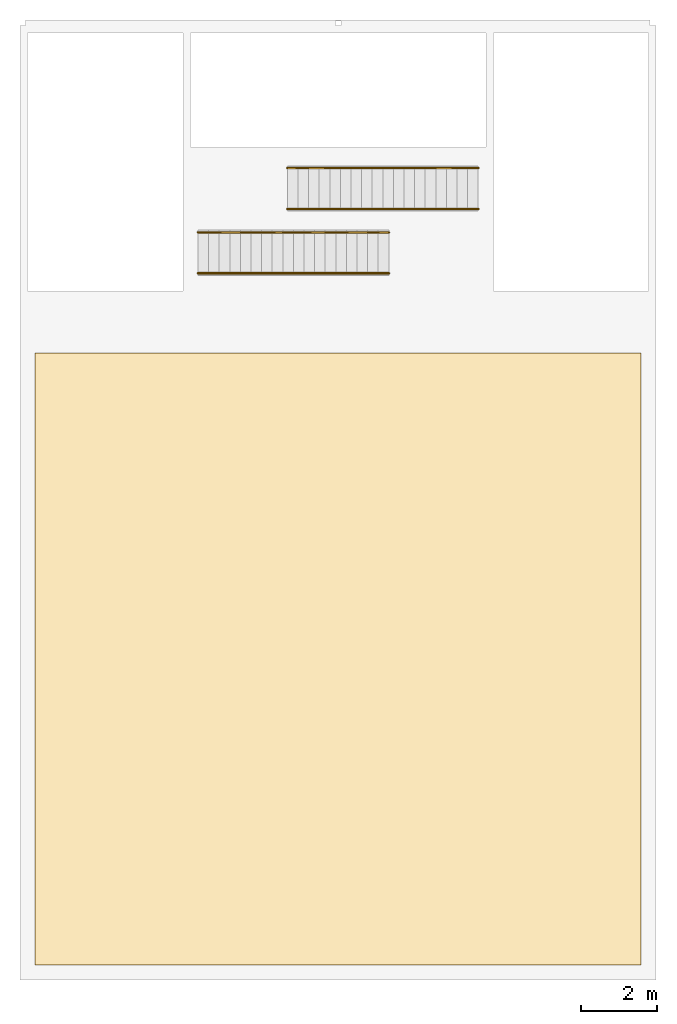
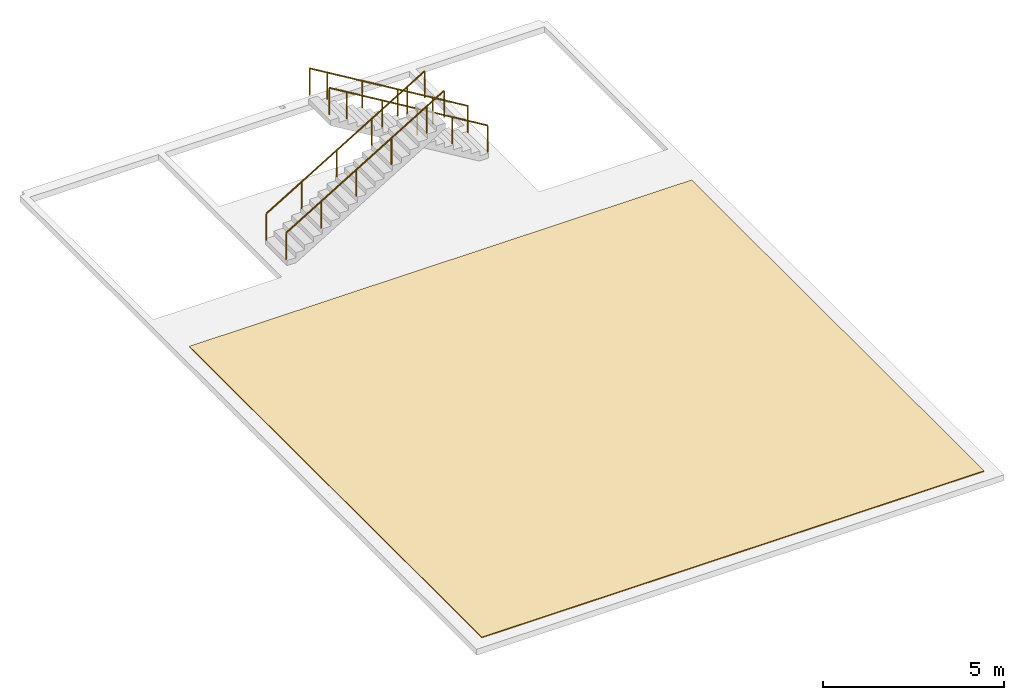
# One storey, part 2 of 2: 4 railings, 1 covering.
"""IFC4 building model written with IfcOpenShell, lengths in metres."""

from ifc_helpers import new_model, si_unit, direction, frame, origin, origin_2d, place, context, subcontext, project, spatial, polyline, circle, outline, extrude, material, layer, layer_set, type_object, element, save


model = new_model("IFC4")

# Units and contexts
model_context = context("Model", 3, precision=1e-05, world=origin(), true_north=direction((0.0, 1.0)))
body_context = subcontext(model_context, "Body", "Model", "MODEL_VIEW")
ifc_project = project(units=[si_unit("LENGTHUNIT", "METRE"), si_unit("AREAUNIT", "SQUARE_METRE"), si_unit("VOLUMEUNIT", "CUBIC_METRE"), si_unit("PLANEANGLEUNIT", "RADIAN"), si_unit("MASSUNIT", "GRAM", prefix="KILO")], contexts=[model_context])

# Site, building, storey
site_placement = place(None, origin())
site = spatial("IfcSite", under=ifc_project, at=site_placement, CompositionType="ELEMENT")
building_placement = place(site_placement, origin())
building = spatial("IfcBuilding", under=site, at=building_placement, Name="Galleria Vessillo Department Store", CompositionType="ELEMENT")
storey_placement = place(building_placement, frame((0.0, 0.0, 72.0)))
storey = spatial("IfcBuildingStorey", under=building, at=storey_placement, Name="ROOF", CompositionType="ELEMENT", Elevation=72.0)

# Railings
ifc_material_1 = material(Name="Stainless steel tube", Category="steel")
railing_type = type_object("IfcRailingType", Name="Stair handrail steel tube 48 mm", PredefinedType="HANDRAIL", material=ifc_material_1)
railing_1_placement = place(storey_placement, frame((105.49951171875, 57.5400390625, 0.16845703125)))
element("IfcRailing", 1, at=railing_1_placement, inside=storey, type_object=railing_type, Name="Handrail RS1 ROOF flight 1A", PredefinedType="HANDRAIL", context=body_context, shape_type="SweptSolid", body=[
    extrude(circle(Radius=0.02392578125, at=origin_2d()), frame((0.0, 0.0, 0.89599609375), z_axis=(0.856981583838, 0.0, 0.515347033524), x_axis=(0.0, 1.0, 0.0)), (0.0, 0.0, 1.0), 1.30712890625),
    extrude(circle(Radius=0.02392578125, at=origin_2d()), frame((1.1201171875, 0.0, 1.5693359375), z_axis=(0.856849446292, 0.0, 0.515566704113), x_axis=(0.0, 1.0, 0.0)), (0.0, 0.0, 1.0), 1.306884765625),
    extrude(circle(Radius=0.02392578125, at=origin_2d()), frame((2.239990234375, 0.0, 2.2431640625), z_axis=(0.856981583838, 0.0, 0.515347033524), x_axis=(0.0, 1.0, 0.0)), (0.0, 0.0, 1.0), 1.30712890625),
    extrude(circle(Radius=0.02392578125, at=origin_2d()), frame((3.360107421875, 0.0, 2.9169921875), z_axis=(0.85693196439, 0.0, 0.51542953777), x_axis=(0.0, 1.0, 0.0)), (0.0, 0.0, 1.0), 1.306884765625),
    extrude(circle(Radius=0.02392578125, at=origin_2d()), frame((4.47998046875, 0.0, 3.59033203125), z_axis=(0.856899087374, 0.0, 0.5154841938), x_axis=(0.0, 1.0, 0.0)), (0.0, 0.0, 1.0), 0.653564453125),
    extrude(circle(Radius=0.02099609375, at=origin_2d()), origin(), (0.0, 0.0, 1.0), 0.871826171875),
    extrude(circle(Radius=0.02099609375, at=origin_2d()), frame((1.1201171875, 0.0, 0.673583984375)), (0.0, 0.0, 1.0), 0.871826171875),
    extrude(circle(Radius=0.02099609375, at=origin_2d()), frame((2.239990234375, 0.0, 1.347412109375)), (0.0, 0.0, 1.0), 0.871826171875),
    extrude(circle(Radius=0.02099609375, at=origin_2d()), frame((3.360107421875, 0.0, 2.02099609375)), (0.0, 0.0, 1.0), 0.871826171875),
    extrude(circle(Radius=0.02099609375, at=origin_2d()), frame((4.47998046875, 0.0, 2.694580078125)), (0.0, 0.0, 1.0), 0.871826171875),
    extrude(circle(Radius=0.02099609375, at=origin_2d()), frame((5.0400390625, 0.0, 3.031494140625)), (0.0, 0.0, 1.0), 0.871826171875),
])
railing_2_placement = place(storey_placement, frame((105.49951171875, 56.4599609375, 0.16845703125)))
element("IfcRailing", 2, at=railing_2_placement, inside=storey, type_object=railing_type, Name="Handrail RS1 ROOF flight 1B", PredefinedType="HANDRAIL", context=body_context, shape_type="SweptSolid", body=[
    extrude(circle(Radius=0.02392578125, at=origin_2d()), frame((0.0, 0.0, 0.89599609375), z_axis=(0.856981583838, 0.0, 0.515347033524), x_axis=(0.0, 1.0, 0.0)), (0.0, 0.0, 1.0), 1.30712890625),
    extrude(circle(Radius=0.02392578125, at=origin_2d()), frame((1.1201171875, 0.0, 1.5693359375), z_axis=(0.856849446292, 0.0, 0.515566704113), x_axis=(0.0, 1.0, 0.0)), (0.0, 0.0, 1.0), 1.306884765625),
    extrude(circle(Radius=0.02392578125, at=origin_2d()), frame((2.239990234375, 0.0, 2.2431640625), z_axis=(0.856981583838, 0.0, 0.515347033524), x_axis=(0.0, 1.0, 0.0)), (0.0, 0.0, 1.0), 1.30712890625),
    extrude(circle(Radius=0.02392578125, at=origin_2d()), frame((3.360107421875, 0.0, 2.9169921875), z_axis=(0.85693196439, 0.0, 0.51542953777), x_axis=(0.0, 1.0, 0.0)), (0.0, 0.0, 1.0), 1.306884765625),
    extrude(circle(Radius=0.02392578125, at=origin_2d()), frame((4.47998046875, 0.0, 3.59033203125), z_axis=(0.856899087374, 0.0, 0.5154841938), x_axis=(0.0, 1.0, 0.0)), (0.0, 0.0, 1.0), 0.653564453125),
    extrude(circle(Radius=0.02099609375, at=origin_2d()), origin(), (0.0, 0.0, 1.0), 0.871826171875),
    extrude(circle(Radius=0.02099609375, at=origin_2d()), frame((1.1201171875, 0.0, 0.673583984375)), (0.0, 0.0, 1.0), 0.871826171875),
    extrude(circle(Radius=0.02099609375, at=origin_2d()), frame((2.239990234375, 0.0, 1.347412109375)), (0.0, 0.0, 1.0), 0.871826171875),
    extrude(circle(Radius=0.02099609375, at=origin_2d()), frame((3.360107421875, 0.0, 2.02099609375)), (0.0, 0.0, 1.0), 0.871826171875),
    extrude(circle(Radius=0.02099609375, at=origin_2d()), frame((4.47998046875, 0.0, 2.694580078125)), (0.0, 0.0, 1.0), 0.871826171875),
    extrude(circle(Radius=0.02099609375, at=origin_2d()), frame((5.0400390625, 0.0, 3.031494140625)), (0.0, 0.0, 1.0), 0.871826171875),
])
railing_3_placement = place(storey_placement, frame((112.900390625, 58.159912109375, 0.16845703125)))
element("IfcRailing", 3, at=railing_3_placement, inside=storey, type_object=railing_type, Name="Handrail RS2 ROOF flight 1A", PredefinedType="HANDRAIL", context=body_context, shape_type="SweptSolid", body=[
    extrude(circle(Radius=0.02392578125, at=origin_2d()), frame((0.0, 0.0, 0.89599609375), z_axis=(-0.856981583838, 0.0, 0.515347033524), x_axis=(0.0, -1.0, 0.0)), (0.0, 0.0, 1.0), 1.30712890625),
    extrude(circle(Radius=0.02392578125, at=origin_2d()), frame((-1.1201171875, 0.0, 1.5693359375), z_axis=(-0.856849446292, 0.0, 0.515566704113), x_axis=(0.0, -1.0, 0.0)), (0.0, 0.0, 1.0), 1.306884765625),
    extrude(circle(Radius=0.02392578125, at=origin_2d()), frame((-2.239990234375, 0.0, 2.2431640625), z_axis=(-0.856981583838, 0.0, 0.515347033524), x_axis=(0.0, -1.0, 0.0)), (0.0, 0.0, 1.0), 1.30712890625),
    extrude(circle(Radius=0.02392578125, at=origin_2d()), frame((-3.360107421875, 0.0, 2.9169921875), z_axis=(-0.85693196439, 0.0, 0.51542953777), x_axis=(0.0, -1.0, 0.0)), (0.0, 0.0, 1.0), 1.306884765625),
    extrude(circle(Radius=0.02392578125, at=origin_2d()), frame((-4.47998046875, 0.0, 3.59033203125), z_axis=(-0.856899087374, 0.0, 0.5154841938), x_axis=(0.0, -1.0, 0.0)), (0.0, 0.0, 1.0), 0.653564453125),
    extrude(circle(Radius=0.02099609375, at=origin_2d()), origin(), (0.0, 0.0, 1.0), 0.871826171875),
    extrude(circle(Radius=0.02099609375, at=origin_2d()), frame((-1.1201171875, 0.0, 0.673583984375)), (0.0, 0.0, 1.0), 0.871826171875),
    extrude(circle(Radius=0.02099609375, at=origin_2d()), frame((-2.239990234375, 0.0, 1.347412109375)), (0.0, 0.0, 1.0), 0.871826171875),
    extrude(circle(Radius=0.02099609375, at=origin_2d()), frame((-3.360107421875, 0.0, 2.02099609375)), (0.0, 0.0, 1.0), 0.871826171875),
    extrude(circle(Radius=0.02099609375, at=origin_2d()), frame((-4.47998046875, 0.0, 2.694580078125)), (0.0, 0.0, 1.0), 0.871826171875),
    extrude(circle(Radius=0.02099609375, at=origin_2d()), frame((-5.0400390625, 0.0, 3.031494140625)), (0.0, 0.0, 1.0), 0.871826171875),
])
railing_4_placement = place(storey_placement, frame((112.900390625, 59.239990234375, 0.16845703125)))
element("IfcRailing", 4, at=railing_4_placement, inside=storey, type_object=railing_type, Name="Handrail RS2 ROOF flight 1B", PredefinedType="HANDRAIL", context=body_context, shape_type="SweptSolid", body=[
    extrude(circle(Radius=0.02392578125, at=origin_2d()), frame((0.0, 0.0, 0.89599609375), z_axis=(-0.856981583838, 0.0, 0.515347033524), x_axis=(0.0, -1.0, 0.0)), (0.0, 0.0, 1.0), 1.30712890625),
    extrude(circle(Radius=0.02392578125, at=origin_2d()), frame((-1.1201171875, 0.0, 1.5693359375), z_axis=(-0.856849446292, 0.0, 0.515566704113), x_axis=(0.0, -1.0, 0.0)), (0.0, 0.0, 1.0), 1.306884765625),
    extrude(circle(Radius=0.02392578125, at=origin_2d()), frame((-2.239990234375, 0.0, 2.2431640625), z_axis=(-0.856981583838, 0.0, 0.515347033524), x_axis=(0.0, -1.0, 0.0)), (0.0, 0.0, 1.0), 1.30712890625),
    extrude(circle(Radius=0.02392578125, at=origin_2d()), frame((-3.360107421875, 0.0, 2.9169921875), z_axis=(-0.85693196439, 0.0, 0.51542953777), x_axis=(0.0, -1.0, 0.0)), (0.0, 0.0, 1.0), 1.306884765625),
    extrude(circle(Radius=0.02392578125, at=origin_2d()), frame((-4.47998046875, 0.0, 3.59033203125), z_axis=(-0.856899087374, 0.0, 0.5154841938), x_axis=(0.0, -1.0, 0.0)), (0.0, 0.0, 1.0), 0.653564453125),
    extrude(circle(Radius=0.02099609375, at=origin_2d()), origin(), (0.0, 0.0, 1.0), 0.871826171875),
    extrude(circle(Radius=0.02099609375, at=origin_2d()), frame((-1.1201171875, 0.0, 0.673583984375)), (0.0, 0.0, 1.0), 0.871826171875),
    extrude(circle(Radius=0.02099609375, at=origin_2d()), frame((-2.239990234375, 0.0, 1.347412109375)), (0.0, 0.0, 1.0), 0.871826171875),
    extrude(circle(Radius=0.02099609375, at=origin_2d()), frame((-3.360107421875, 0.0, 2.02099609375)), (0.0, 0.0, 1.0), 0.871826171875),
    extrude(circle(Radius=0.02099609375, at=origin_2d()), frame((-4.47998046875, 0.0, 2.694580078125)), (0.0, 0.0, 1.0), 0.871826171875),
    extrude(circle(Radius=0.02099609375, at=origin_2d()), frame((-5.0400390625, 0.0, 3.031494140625)), (0.0, 0.0, 1.0), 0.871826171875),
])

# Covering
ifc_material_2 = material(Name="Zinc standing-seam sheet")
ifc_layer = layer(ifc_material_2, 0.030029296875)
ifc_layer_set = layer_set([ifc_layer], Name="Zinc standing-seam sheet")
covering_type = type_object("IfcCoveringType", Name="Zinc standing-seam roof covering 30 mm", PredefinedType="ROOFING", material=ifc_layer_set)
covering_placement = place(storey_placement, origin())
element("IfcCovering", 5, at=covering_placement, inside=storey, type_object=covering_type, Name="Roof covering L15-ROOF", PredefinedType="ROOFING", context=body_context, shape_type="SweptSolid", body=[
    extrude(outline(polyline([(117.2001953125, 38.199951171875), (101.199951171875, 38.199951171875), (101.199951171875, 54.35009765625), (117.2001953125, 54.35009765625), (117.2001953125, 38.199951171875)])), origin(), (0.0, 0.0, 1.0), 0.030029296875),
])

save(model, "model.ifc")
